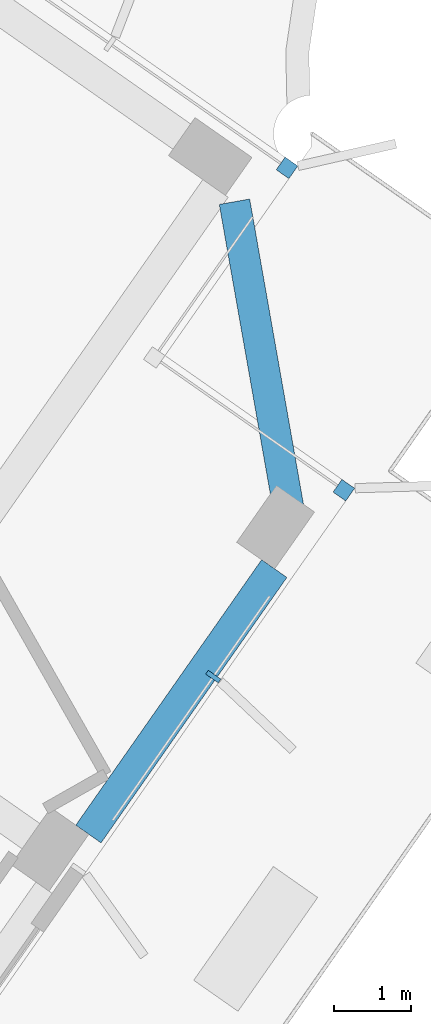
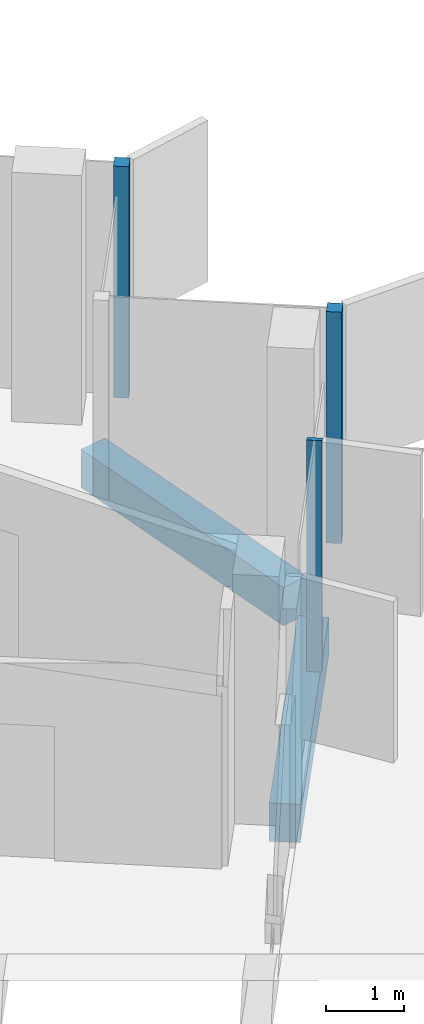
# One storey, part 8 of 21: 3 members, 2 beams, 1 element without a shape of its own.
"""IFC4 building model written with IfcOpenShell, lengths in metres."""

from ifc_helpers import new_model, si_unit, direction, frame, origin, origin_2d, place, context, subcontext, project, spatial, rectangle, extrude, material, material_profile, profile_set, type_object, element, aggregate, save


model = new_model("IFC4")

# Units and contexts
model_context = context("Model", 3, precision=1e-05, world=origin(), true_north=direction((0.0, 1.0)))
body_context = subcontext(model_context, "Body", "Model", "MODEL_VIEW")
ifc_project = project(units=[si_unit("LENGTHUNIT", "METRE"), si_unit("AREAUNIT", "SQUARE_METRE"), si_unit("VOLUMEUNIT", "CUBIC_METRE"), si_unit("PLANEANGLEUNIT", "RADIAN"), si_unit("MASSUNIT", "GRAM", prefix="KILO")], contexts=[model_context])

# Site, building, storey
site_placement = place(None, origin())
site = spatial("IfcSite", under=ifc_project, at=site_placement, CompositionType="ELEMENT")
building_placement = place(site_placement, origin())
building = spatial("IfcBuilding", under=site, at=building_placement, Name="Tel Ilan Convention Tower", CompositionType="ELEMENT")
storey_placement = place(building_placement, frame((0.0, 0.0, 225.39990234375)))
storey = spatial("IfcBuildingStorey", under=building, at=storey_placement, Name="L52", CompositionType="ELEMENT", Elevation=225.39990234375)

# Beams
ifc_material_1 = material(Name="Concrete C40/50", Category="concrete")
ifc_material_profile_1 = material_profile(ifc_material_1, rectangle(XDim=0.39990234375, YDim=0.60009765625, at=origin_2d()), Name="RC 400x600")
ifc_profile_set_1 = profile_set([ifc_material_profile_1], Name="Concrete C40/50")
beam_type = type_object("IfcBeamType", Name="Beam RC 400x600 Concrete C40/50", PredefinedType="BEAM", material=ifc_profile_set_1)
beam_1_placement = place(storey_placement, frame((29.39013671875, -21.739013671875, -0.579833984375), z_axis=(0.573602778367, 0.819133598779, 0.0), x_axis=(-0.819133598779, 0.573602778367, 0.0)))
element("IfcBeam", 1, at=beam_1_placement, inside=storey, type_object=beam_type, Name="L52 beam E-E-E2-E-E3", PredefinedType="BEAM", context=body_context, shape_type="SweptSolid", body=[
    extrude(rectangle(XDim=0.39990234375, YDim=0.60009765625, at=origin_2d()), origin(), (0.0, 0.0, 1.0), 4.2001953125),
])
beam_2_placement = place(storey_placement, frame((31.983642578125, -17.51220703125, -0.579833984375), z_axis=(-0.173654029734, 0.984806721117, 0.0), x_axis=(-0.984806721117, -0.173654029734, 0.0)))
element("IfcBeam", 2, at=beam_2_placement, inside=storey, type_object=beam_type, Name="L52 beam E-E-E3-E-BC", PredefinedType="BEAM", context=body_context, shape_type="SweptSolid", body=[
    extrude(rectangle(XDim=0.39990234375, YDim=0.60009765625, at=origin_2d()), origin(), (0.0, 0.0, 1.0), 4.03076171875),
])

# Curtain wall, members
ifc_material_2 = material(Name="Aluminium, bronze anodised", Category="aluminium")
curtain_wall_type = type_object("IfcCurtainWallType", Name="CW5 STICK CURTAIN WALL, UPPER OFFICE LOW-IRON TINTED GLASS", PredefinedType="NOTDEFINED", material=ifc_material_2)
curtain_wall_placement = place(storey_placement, origin())
curtain_wall = element("IfcCurtainWall", 3, at=curtain_wall_placement, inside=storey, type_object=curtain_wall_type, Name="Curtain wall CW5-41.02", PredefinedType="NOTDEFINED")
ifc_material_3 = material(Name="Aluminium, bronze anodised", Category="aluminium")
ifc_material_profile_2 = material_profile(ifc_material_3, rectangle(XDim=0.199951171875, YDim=0.199951171875, at=origin_2d()), Name="CW CORNER MULLION 200x200")
ifc_profile_set_2 = profile_set([ifc_material_profile_2], Name="Aluminium, bronze anodised")
member_type_1 = type_object("IfcMemberType", Name="CW CORNER MULLION 200x200", PredefinedType="MULLION", material=ifc_profile_set_2)
member_1_placement = place(storey_placement, frame((32.701416015625, -17.2822265625, 0.0), z_axis=(0.0, 0.0, 1.0), x_axis=(0.573576436351, 0.819152044289, 0.0)))
member_1 = element("IfcMember", 4, at=member_1_placement, type_object=member_type_1, Name="Corner mullion", PredefinedType="MULLION", context=body_context, shape_type="SweptSolid", body=[
    extrude(rectangle(XDim=0.199951171875, YDim=0.199951171875, at=origin_2d()), origin(), (0.0, 0.0, 1.0), 3.6201171875),
])
member_2_placement = place(storey_placement, frame((31.964599609375, -13.10400390625, 0.0), z_axis=(0.0, 0.0, 1.0), x_axis=(0.573576436351, 0.819152044289, 0.0)))
member_2 = element("IfcMember", 5, at=member_2_placement, type_object=member_type_1, Name="Corner mullion", PredefinedType="MULLION", context=body_context, shape_type="SweptSolid", body=[
    extrude(rectangle(XDim=0.199951171875, YDim=0.199951171875, at=origin_2d()), origin(), (0.0, 0.0, 1.0), 3.6201171875),
])
ifc_material_4 = material(Name="Aluminium, bronze anodised", Category="aluminium")
ifc_material_profile_3 = material_profile(ifc_material_4, rectangle(XDim=0.06005859375, YDim=0.199951171875, at=origin_2d()), Name="CW MULLION 60x200")
ifc_profile_set_3 = profile_set([ifc_material_profile_3], Name="Aluminium, bronze anodised")
member_type_2 = type_object("IfcMemberType", Name="CW MULLION 60x200", PredefinedType="MULLION", material=ifc_profile_set_3)
member_3_placement = place(storey_placement, frame((31.00927734375, -19.69873046875, 0.0), z_axis=(0.0, 0.0, 1.0), x_axis=(0.573576436351, 0.819152044289, 0.0)))
member_3 = element("IfcMember", 6, at=member_3_placement, type_object=member_type_2, Name="Mullion", PredefinedType="MULLION", context=body_context, shape_type="SweptSolid", body=[
    extrude(rectangle(XDim=0.06005859375, YDim=0.199951171875, at=origin_2d()), origin(), (0.0, 0.0, 1.0), 3.6201171875),
])
aggregate(curtain_wall, [member_3, member_1, member_2])

save(model, "model.ifc")
